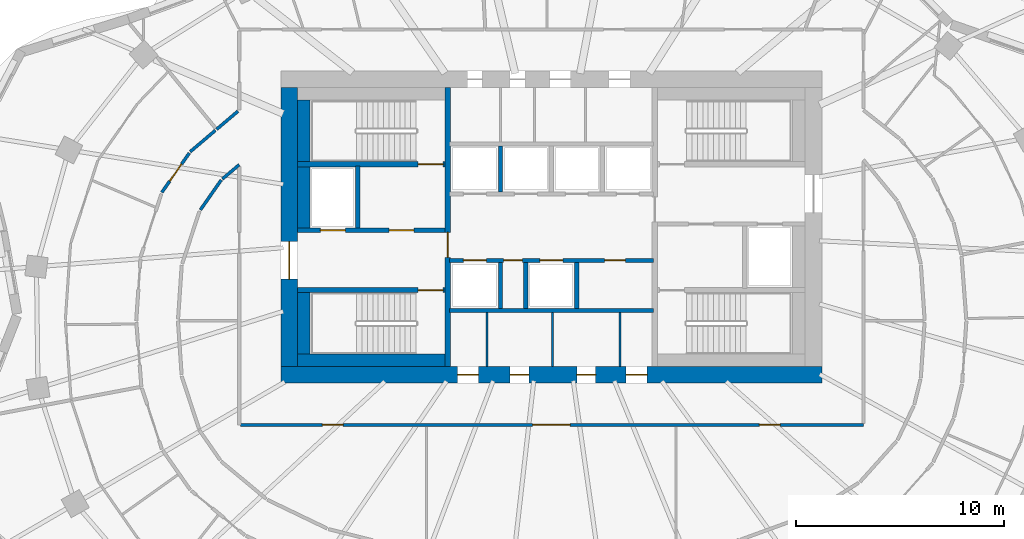
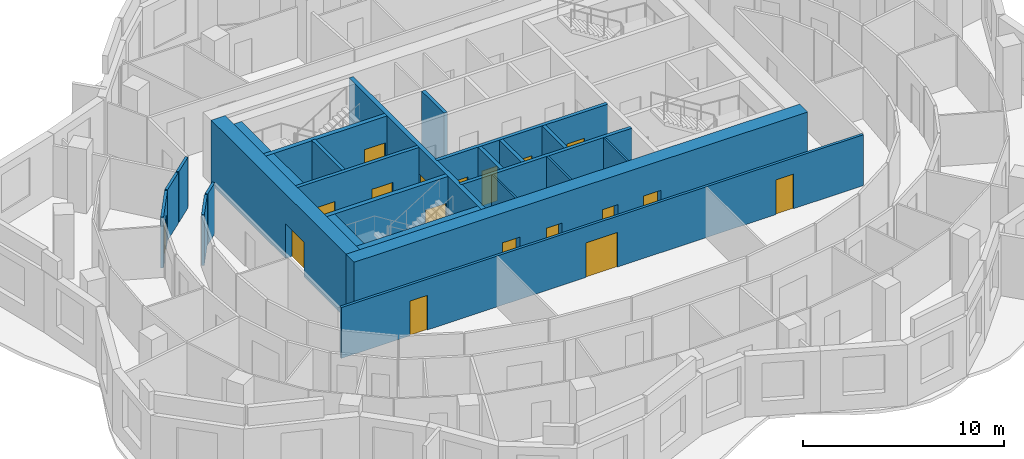
# One storey, part 5 of 11: 26 walls, 18 doors, 18 openings.
"""IFC4 building model written with IfcOpenShell, lengths in metres."""

from ifc_helpers import new_model, si_unit, direction, frame, frame_2d, origin, place, context, subcontext, project, spatial, rectangle, extrude, material, layer, layer_set, type_object, element, fill, save


model = new_model("IFC4")

# Units and contexts
model_context = context("Model", 3, precision=1e-05, world=origin(), true_north=direction((0.0, 1.0)))
body_context = subcontext(model_context, "Body", "Model", "MODEL_VIEW")
ifc_project = project(units=[si_unit("LENGTHUNIT", "METRE"), si_unit("AREAUNIT", "SQUARE_METRE"), si_unit("VOLUMEUNIT", "CUBIC_METRE"), si_unit("PLANEANGLEUNIT", "RADIAN"), si_unit("MASSUNIT", "GRAM", prefix="KILO")], contexts=[model_context])

# Site, building, storey
site_placement = place(None, origin())
site = spatial("IfcSite", under=ifc_project, at=site_placement, CompositionType="ELEMENT")
building_placement = place(site_placement, origin())
building = spatial("IfcBuilding", under=site, at=building_placement, Name="Rubra Terraces Tower", CompositionType="ELEMENT")
storey_placement = place(building_placement, frame((0.0, 0.0, 197.39990234375)))
storey = spatial("IfcBuildingStorey", under=building, at=storey_placement, Name="L48", CompositionType="ELEMENT", Elevation=197.39990234375)

# Wall, openings, doors
ifc_material_1 = material(Name="Concrete C50", Category="concrete")
ifc_layer_1 = layer(ifc_material_1, 0.800048828125)
ifc_layer_set_1 = layer_set([ifc_layer_1], Name="Concrete C50")
wall_type_1 = type_object("IfcWallType", Name="CORE WALL 800 C50", PredefinedType="SHEAR", material=ifc_layer_set_1)
wall_1_placement = place(storey_placement, frame((-13.0, -2.60009765625, 0.0), z_axis=(0.0, 0.0, 1.0), x_axis=(1.0, 0.0, 0.0)))
wall_1 = element("IfcWall", 1, at=wall_1_placement, inside=storey, type_object=wall_type_1, Name="CORE WALL S L48", PredefinedType="SHEAR", context=body_context, shape_type="SweptSolid", body=[
    extrude(rectangle(XDim=26.0, YDim=0.800048828125, at=frame_2d((13.0, 0.0))), origin(), (0.0, 0.0, 1.0), 3.900146484375),
])
opening_1_placement = place(wall_1_placement, frame((8.5, 0.0, 0.0)))
opening_1 = element("IfcOpeningElement", 2, at=opening_1_placement, cuts=wall_1, Name="Opening L48.C21", PredefinedType="OPENING", context=body_context, shape_type="SweptSolid", body=[
    extrude(rectangle(XDim=1.0, YDim=2.10009765625, at=frame_2d((0.5, 1.050048828125))), frame((0.0, 0.409912109375, 0.0), z_axis=(0.0, -1.0, 0.0), x_axis=(1.0, 0.0, 0.0)), (0.0, 0.0, 1.0), 0.820068359375),
])
opening_2_placement = place(wall_1_placement, frame((11.02490234375, 0.0, 0.0)))
opening_2 = element("IfcOpeningElement", 3, at=opening_2_placement, cuts=wall_1, Name="Opening L48.C22", PredefinedType="OPENING", context=body_context, shape_type="SweptSolid", body=[
    extrude(rectangle(XDim=0.89990234375, YDim=2.10009765625, at=frame_2d((0.449951171875, 1.050048828125))), frame((0.0, 0.409912109375, 0.0), z_axis=(0.0, -1.0, 0.0), x_axis=(1.0, 0.0, 0.0)), (0.0, 0.0, 1.0), 0.820068359375),
])
opening_3_placement = place(wall_1_placement, frame((14.22509765625, 0.0, 0.0)))
opening_3 = element("IfcOpeningElement", 4, at=opening_3_placement, cuts=wall_1, Name="Opening L48.C23", PredefinedType="OPENING", context=body_context, shape_type="SweptSolid", body=[
    extrude(rectangle(XDim=0.89990234375, YDim=2.10009765625, at=frame_2d((0.449951171875, 1.050048828125))), frame((0.0, 0.409912109375, 0.0), z_axis=(0.0, -1.0, 0.0), x_axis=(1.0, 0.0, 0.0)), (0.0, 0.0, 1.0), 0.820068359375),
])
opening_4_placement = place(wall_1_placement, frame((16.60009765625, 0.0, 0.0)))
opening_4 = element("IfcOpeningElement", 5, at=opening_4_placement, cuts=wall_1, Name="Opening L48.C24", PredefinedType="OPENING", context=body_context, shape_type="SweptSolid", body=[
    extrude(rectangle(XDim=1.0, YDim=2.10009765625, at=frame_2d((0.5, 1.050048828125))), frame((0.0, 0.409912109375, 0.0), z_axis=(0.0, -1.0, 0.0), x_axis=(1.0, 0.0, 0.0)), (0.0, 0.0, 1.0), 0.820068359375),
])
ifc_material_2 = material(Name="Painted steel", Category="steel")
door_type_1 = type_object("IfcDoorType", Name="Fire door 1000x2100 single", OperationType="NOTDEFINED", PredefinedType="DOOR", material=ifc_material_2)
door_1_placement = place(opening_1_placement, origin())
door_1 = element("IfcDoor", 6, at=door_1_placement, inside=storey, type_object=door_type_1, Name="Accessible WC door", OperationType="SINGLE_SWING_LEFT", OverallHeight=2.10009765625, OverallWidth=1.0, PredefinedType="DOOR", context=body_context, shape_type="SweptSolid", body=[
    extrude(rectangle(XDim=1.0, YDim=2.10009765625, at=frame_2d((0.5, 1.050048828125))), frame((0.0, 0.02490234375, 0.0), z_axis=(0.0, -1.0, 0.0), x_axis=(1.0, 0.0, 0.0)), (0.0, 0.0, 1.0), 0.050048828125),
])
fill(opening_1, door_1)
door_2_placement = place(opening_4_placement, origin())
door_2 = element("IfcDoor", 7, at=door_2_placement, inside=storey, type_object=door_type_1, Name="General store door", OperationType="SINGLE_SWING_RIGHT", OverallHeight=2.10009765625, OverallWidth=1.0, PredefinedType="DOOR", context=body_context, shape_type="SweptSolid", body=[
    extrude(rectangle(XDim=1.0, YDim=2.10009765625, at=frame_2d((0.5, 1.050048828125))), frame((0.0, 0.02490234375, 0.0), z_axis=(0.0, -1.0, 0.0), x_axis=(1.0, 0.0, 0.0)), (0.0, 0.0, 1.0), 0.050048828125),
])
fill(opening_4, door_2)
door_type_2 = type_object("IfcDoorType", Name="Fire door 900x2100 single", OperationType="NOTDEFINED", PredefinedType="DOOR", material=ifc_material_2)
door_3_placement = place(opening_2_placement, origin())
door_3 = element("IfcDoor", 8, at=door_3_placement, inside=storey, type_object=door_type_2, Name="Ladies WC door", OperationType="SINGLE_SWING_RIGHT", OverallHeight=2.10009765625, OverallWidth=0.89990234375, PredefinedType="DOOR", context=body_context, shape_type="SweptSolid", body=[
    extrude(rectangle(XDim=0.89990234375, YDim=2.10009765625, at=frame_2d((0.449951171875, 1.050048828125))), frame((0.0, 0.02490234375, 0.0), z_axis=(0.0, -1.0, 0.0), x_axis=(1.0, 0.0, 0.0)), (0.0, 0.0, 1.0), 0.050048828125),
])
fill(opening_2, door_3)
door_4_placement = place(opening_3_placement, origin())
door_4 = element("IfcDoor", 9, at=door_4_placement, inside=storey, type_object=door_type_2, Name="Gents WC door", OperationType="SINGLE_SWING_LEFT", OverallHeight=2.10009765625, OverallWidth=0.89990234375, PredefinedType="DOOR", context=body_context, shape_type="SweptSolid", body=[
    extrude(rectangle(XDim=0.89990234375, YDim=2.10009765625, at=frame_2d((0.449951171875, 1.050048828125))), frame((0.0, 0.02490234375, 0.0), z_axis=(0.0, -1.0, 0.0), x_axis=(1.0, 0.0, 0.0)), (0.0, 0.0, 1.0), 0.050048828125),
])
fill(opening_3, door_4)

# Wall, opening, door
wall_2_placement = place(storey_placement, frame((-12.60009765625, -2.199951171875, 0.0), z_axis=(0.0, 0.0, 1.0), x_axis=(0.0, 1.0, 0.0)))
wall_2 = element("IfcWall", 10, at=wall_2_placement, inside=storey, type_object=wall_type_1, Name="CORE WALL W L48", PredefinedType="SHEAR", context=body_context, shape_type="SweptSolid", body=[
    extrude(rectangle(XDim=13.39990234375, YDim=0.800048828125, at=frame_2d((6.699951171875, 0.0))), origin(), (0.0, 0.0, 1.0), 3.900146484375),
])
opening_5_placement = place(wall_2_placement, frame((4.199951171875, 0.0, 0.0)))
opening_5 = element("IfcOpeningElement", 11, at=opening_5_placement, cuts=wall_2, Name="Opening L48.C01", PredefinedType="OPENING", context=body_context, shape_type="SweptSolid", body=[
    extrude(rectangle(XDim=1.800048828125, YDim=2.10009765625, at=frame_2d((0.89990234375, 1.050048828125))), frame((0.0, 0.409912109375, 0.0), z_axis=(0.0, -1.0, 0.0), x_axis=(1.0, 0.0, 0.0)), (0.0, 0.0, 1.0), 0.820068359375),
])
door_type_3 = type_object("IfcDoorType", Name="Fire door 1800x2100 double", OperationType="NOTDEFINED", PredefinedType="DOOR", material=ifc_material_2)
door_5_placement = place(opening_5_placement, origin())
door_5 = element("IfcDoor", 12, at=door_5_placement, inside=storey, type_object=door_type_3, Name="Core entrance door FF1", OperationType="DOUBLE_DOOR_SINGLE_SWING", OverallHeight=2.10009765625, OverallWidth=1.800048828125, PredefinedType="DOOR", context=body_context, shape_type="SweptSolid", body=[
    extrude(rectangle(XDim=1.800048828125, YDim=2.10009765625, at=frame_2d((0.89990234375, 1.050048828125))), frame((0.0, 0.02490234375, 0.0), z_axis=(0.0, -1.0, 0.0), x_axis=(1.0, 0.0, 0.0)), (0.0, 0.0, 1.0), 0.050048828125),
])
fill(opening_5, door_5)

# Walls
ifc_material_3 = material(Name="Plasterboard on steel stud, mineral wool infill", Category="steel")
ifc_layer_2 = layer(ifc_material_3, 0.14990234375)
ifc_layer_set_2 = layer_set([ifc_layer_2], Name="Plasterboard on steel stud, mineral wool infill")
wall_type_2 = type_object("IfcWallType", Name="CORRIDOR PARTITION 150", PredefinedType="PARTITIONING", material=ifc_layer_set_2)
wall_3_placement = place(storey_placement, frame((-15.05712890625, 10.072998046875, 0.0), z_axis=(0.0, 0.0, 1.0), x_axis=(-0.762460526674, -0.647034732657, 0.0)))
element("IfcWall", 13, at=wall_3_placement, inside=storey, type_object=wall_type_2, Name="PARTITION", PredefinedType="PARTITIONING", context=body_context, shape_type="SweptSolid", body=[
    extrude(rectangle(XDim=1.3515625, YDim=0.14990234375, at=frame_2d((0.67578125, 0.0))), origin(), (0.0, 0.0, 1.0), 3.083984375),
])
wall_4_placement = place(storey_placement, frame((-16.144775390625, 9.14990234375, 0.0), z_axis=(0.0, 0.0, 1.0), x_axis=(-0.762375713691, -0.647134662318, 0.0)))
element("IfcWall", 14, at=wall_4_placement, inside=storey, type_object=wall_type_2, Name="PARTITION", PredefinedType="PARTITIONING", context=body_context, shape_type="SweptSolid", body=[
    extrude(rectangle(XDim=1.586669921875, YDim=0.14990234375, at=frame_2d((0.79345703125, 0.0))), origin(), (0.0, 0.0, 1.0), 3.083984375),
])

# Wall, opening, door
wall_5_placement = place(storey_placement, frame((-17.3974609375, 8.0615234375, 0.0), z_axis=(0.0, 0.0, 1.0), x_axis=(-0.572118665737, -0.820170855563, 0.0)))
wall_5 = element("IfcWall", 15, at=wall_5_placement, inside=storey, type_object=wall_type_2, Name="PARTITION", PredefinedType="PARTITIONING", context=body_context, shape_type="SweptSolid", body=[
    extrude(rectangle(XDim=2.30615234375, YDim=0.14990234375, at=frame_2d((1.153076171875, 0.0))), origin(), (0.0, 0.0, 1.0), 3.083984375),
])
opening_6_placement = place(wall_5_placement, frame((0.64990234375, 0.0, 0.0)))
opening_6 = element("IfcOpeningElement", 16, at=opening_6_placement, cuts=wall_5, Name="Opening 48-144", PredefinedType="OPENING", context=body_context, shape_type="SweptSolid", body=[
    extrude(rectangle(XDim=1.0, YDim=2.10009765625, at=frame_2d((0.5, 1.050048828125))), frame((0.0, 0.0849609375, 0.0), z_axis=(0.0, -1.0, 0.0), x_axis=(1.0, 0.0, 0.0)), (0.0, 0.0, 1.0), 0.169921875),
])
ifc_material_4 = material(Name="Painted timber door leaf", Category="wood")
door_type_4 = type_object("IfcDoorType", Name="ROOM DOOR 1000 X 2100", OperationType="SINGLE_SWING_LEFT", PredefinedType="DOOR", material=ifc_material_4)
door_6_placement = place(opening_6_placement, origin())
door_6 = element("IfcDoor", 17, at=door_6_placement, inside=storey, type_object=door_type_4, Name="DOOR 48-144", OperationType="SINGLE_SWING_RIGHT", OverallHeight=2.10009765625, OverallWidth=1.0, PredefinedType="DOOR", context=body_context, shape_type="SweptSolid", body=[
    extrude(rectangle(XDim=1.0, YDim=2.10009765625, at=frame_2d((0.5, 1.050048828125))), frame((0.0, 0.02490234375, 0.0), z_axis=(0.0, -1.0, 0.0), x_axis=(1.0, 0.0, 0.0)), (0.0, 0.0, 1.0), 0.050048828125),
])
fill(opening_6, door_6)

# Walls
wall_6_placement = place(storey_placement, frame((-16.865478515625, 5.32861328125, 0.0), z_axis=(0.0, 0.0, 1.0), x_axis=(0.572096615639, 0.820186236397, 0.0)))
element("IfcWall", 18, at=wall_6_placement, inside=storey, type_object=wall_type_2, Name="PARTITION", PredefinedType="PARTITIONING", context=body_context, shape_type="SweptSolid", body=[
    extrude(rectangle(XDim=1.752685546875, YDim=0.14990234375, at=frame_2d((0.87646484375, 0.0))), origin(), (0.0, 0.0, 1.0), 3.083984375),
])
wall_7_placement = place(storey_placement, frame((-15.805419921875, 6.814453125, 0.0), z_axis=(0.0, 0.0, 1.0), x_axis=(0.762298381233, 0.647225755027, 0.0)))
element("IfcWall", 19, at=wall_7_placement, inside=storey, type_object=wall_type_2, Name="PARTITION", PredefinedType="PARTITIONING", context=body_context, shape_type="SweptSolid", body=[
    extrude(rectangle(XDim=1.056640625, YDim=0.14990234375, at=frame_2d((0.5283203125, 0.0))), origin(), (0.0, 0.0, 1.0), 3.083984375),
])

# Wall, openings, doors
wall_8_placement = place(storey_placement, frame((-14.925048828125, -5.0, 0.0), z_axis=(0.0, 0.0, 1.0), x_axis=(1.0, 0.0, 0.0)))
wall_8 = element("IfcWall", 20, at=wall_8_placement, inside=storey, type_object=wall_type_2, Name="PARTITION", PredefinedType="PARTITIONING", context=body_context, shape_type="SweptSolid", body=[
    extrude(rectangle(XDim=29.925048828125, YDim=0.14990234375, at=frame_2d((14.96240234375, 0.0))), origin(), (0.0, 0.0, 1.0), 3.083984375),
])
opening_7_placement = place(wall_8_placement, frame((3.925048828125, 0.0, 0.0)))
opening_7 = element("IfcOpeningElement", 21, at=opening_7_placement, cuts=wall_8, Name="Opening 48-134", PredefinedType="OPENING", context=body_context, shape_type="SweptSolid", body=[
    extrude(rectangle(XDim=1.0, YDim=2.10009765625, at=frame_2d((0.5, 1.050048828125))), frame((0.0, 0.0849609375, 0.0), z_axis=(0.0, -1.0, 0.0), x_axis=(1.0, 0.0, 0.0)), (0.0, 0.0, 1.0), 0.169921875),
])
opening_8_placement = place(wall_8_placement, frame((14.02490234375, 0.0, 0.0)))
opening_8 = element("IfcOpeningElement", 22, at=opening_8_placement, cuts=wall_8, Name="Opening 48-135", PredefinedType="OPENING", context=body_context, shape_type="SweptSolid", body=[
    extrude(rectangle(XDim=1.800048828125, YDim=2.10009765625, at=frame_2d((0.89990234375, 1.050048828125))), frame((0.0, 0.0849609375, 0.0), z_axis=(0.0, -1.0, 0.0), x_axis=(1.0, 0.0, 0.0)), (0.0, 0.0, 1.0), 0.169921875),
])
opening_9_placement = place(wall_8_placement, frame((24.925048828125, 0.0, 0.0)))
opening_9 = element("IfcOpeningElement", 23, at=opening_9_placement, cuts=wall_8, Name="Opening 48-136", PredefinedType="OPENING", context=body_context, shape_type="SweptSolid", body=[
    extrude(rectangle(XDim=1.0, YDim=2.10009765625, at=frame_2d((0.5, 1.050048828125))), frame((0.0, 0.0849609375, 0.0), z_axis=(0.0, -1.0, 0.0), x_axis=(1.0, 0.0, 0.0)), (0.0, 0.0, 1.0), 0.169921875),
])
door_7_placement = place(opening_7_placement, origin())
door_7 = element("IfcDoor", 24, at=door_7_placement, inside=storey, type_object=door_type_4, Name="DOOR 48-134", OperationType="SINGLE_SWING_RIGHT", OverallHeight=2.10009765625, OverallWidth=1.0, PredefinedType="DOOR", context=body_context, shape_type="SweptSolid", body=[
    extrude(rectangle(XDim=1.0, YDim=2.10009765625, at=frame_2d((0.5, 1.050048828125))), frame((0.0, 0.02490234375, 0.0), z_axis=(0.0, -1.0, 0.0), x_axis=(1.0, 0.0, 0.0)), (0.0, 0.0, 1.0), 0.050048828125),
])
fill(opening_7, door_7)
door_8_placement = place(opening_9_placement, origin())
door_8 = element("IfcDoor", 25, at=door_8_placement, inside=storey, type_object=door_type_4, Name="DOOR 48-136", OperationType="SINGLE_SWING_RIGHT", OverallHeight=2.10009765625, OverallWidth=1.0, PredefinedType="DOOR", context=body_context, shape_type="SweptSolid", body=[
    extrude(rectangle(XDim=1.0, YDim=2.10009765625, at=frame_2d((0.5, 1.050048828125))), frame((0.0, 0.02490234375, 0.0), z_axis=(0.0, -1.0, 0.0), x_axis=(1.0, 0.0, 0.0)), (0.0, 0.0, 1.0), 0.050048828125),
])
fill(opening_9, door_8)
ifc_material_5 = material(Name="Painted timber door leaf, double", Category="wood")
door_type_5 = type_object("IfcDoorType", Name="ROOM DOUBLE DOOR 1800 X 2100", OperationType="DOUBLE_DOOR_SINGLE_SWING", PredefinedType="DOOR", material=ifc_material_5)
door_9_placement = place(opening_8_placement, origin())
door_9 = element("IfcDoor", 26, at=door_9_placement, inside=storey, type_object=door_type_5, Name="DOOR 48-135", OperationType="DOUBLE_DOOR_SINGLE_SWING", OverallHeight=2.10009765625, OverallWidth=1.800048828125, PredefinedType="DOOR", context=body_context, shape_type="SweptSolid", body=[
    extrude(rectangle(XDim=1.800048828125, YDim=2.10009765625, at=frame_2d((0.89990234375, 1.050048828125))), frame((0.0, 0.02490234375, 0.0), z_axis=(0.0, -1.0, 0.0), x_axis=(1.0, 0.0, 0.0)), (0.0, 0.0, 1.0), 0.050048828125),
])
fill(opening_8, door_9)

# Walls
ifc_material_6 = material(Name="Concrete C40", Category="concrete")
ifc_layer_3 = layer(ifc_material_6, 0.60009765625)
ifc_layer_set_3 = layer_set([ifc_layer_3], Name="Concrete C40")
wall_type_3 = type_object("IfcWallType", Name="Core lining wall 600 concrete", PredefinedType="SOLIDWALL", material=ifc_layer_set_3)
wall_9_placement = place(storey_placement, frame((-12.199951171875, -1.89990234375, 0.0), z_axis=(0.0, 0.0, 1.0), x_axis=(1.0, 0.0, 0.0)))
element("IfcWall", 27, at=wall_9_placement, inside=storey, type_object=wall_type_3, Name="CORE LINING WALL L48", PredefinedType="SOLIDWALL", context=body_context, shape_type="SweptSolid", body=[
    extrude(rectangle(XDim=7.099853515625, YDim=0.60009765625, at=frame_2d((3.5498046875, 0.0))), origin(), (0.0, 0.0, 1.0), 3.7001953125),
])
wall_10_placement = place(storey_placement, frame((-11.89990234375, -1.60009765625, 0.0), z_axis=(0.0, 0.0, 1.0), x_axis=(0.0, 1.0, 0.0)))
element("IfcWall", 28, at=wall_10_placement, inside=storey, type_object=wall_type_3, Name="CORE LINING WALL L48", PredefinedType="SOLIDWALL", context=body_context, shape_type="SweptSolid", body=[
    extrude(rectangle(XDim=2.9501953125, YDim=0.60009765625, at=frame_2d((1.47509765625, 0.0))), origin(), (0.0, 0.0, 1.0), 3.7001953125),
])
wall_11_placement = place(storey_placement, frame((-11.89990234375, 4.449951171875, 0.0), z_axis=(0.0, 0.0, 1.0), x_axis=(0.0, 1.0, 0.0)))
element("IfcWall", 29, at=wall_11_placement, inside=storey, type_object=wall_type_3, Name="CORE LINING WALL L48", PredefinedType="SOLIDWALL", context=body_context, shape_type="SweptSolid", body=[
    extrude(rectangle(XDim=3.0, YDim=0.60009765625, at=frame_2d((1.5, 0.0))), origin(), (0.0, 0.0, 1.0), 3.7001953125),
])
wall_12_placement = place(storey_placement, frame((-11.89990234375, 7.64990234375, 0.0), z_axis=(0.0, 0.0, 1.0), x_axis=(0.0, 1.0, 0.0)))
element("IfcWall", 30, at=wall_12_placement, inside=storey, type_object=wall_type_3, Name="CORE LINING WALL L48", PredefinedType="SOLIDWALL", context=body_context, shape_type="SweptSolid", body=[
    extrude(rectangle(XDim=2.9501953125, YDim=0.60009765625, at=frame_2d((1.47509765625, 0.0))), origin(), (0.0, 0.0, 1.0), 3.7001953125),
])

# Wall, openings, doors
ifc_material_7 = material(Name="Concrete C30", Category="concrete")
ifc_layer_4 = layer(ifc_material_7, 0.199951171875)
ifc_layer_set_4 = layer_set([ifc_layer_4], Name="Concrete C30")
wall_type_4 = type_object("IfcWallType", Name="Core wall 200 concrete", PredefinedType="SOLIDWALL", material=ifc_layer_set_4)
wall_13_placement = place(storey_placement, frame((-12.199951171875, 4.35009765625, 0.0), z_axis=(0.0, 0.0, 1.0), x_axis=(1.0, 0.0, 0.0)))
wall_13 = element("IfcWall", 31, at=wall_13_placement, inside=storey, type_object=wall_type_4, Name="STAIR WALL L48", PredefinedType="SOLIDWALL", context=body_context, shape_type="SweptSolid", body=[
    extrude(rectangle(XDim=7.099853515625, YDim=0.199951171875, at=frame_2d((3.5498046875, 0.0))), origin(), (0.0, 0.0, 1.0), 3.7001953125),
])
opening_10_placement = place(wall_13_placement, frame((4.39990234375, 0.0, 0.0)))
opening_10 = element("IfcOpeningElement", 32, at=opening_10_placement, cuts=wall_13, Name="Opening L48.C05", PredefinedType="OPENING", context=body_context, shape_type="SweptSolid", body=[
    extrude(rectangle(XDim=1.199951171875, YDim=2.10009765625, at=frame_2d((0.60009765625, 1.050048828125))), frame((0.0, 0.10986328125, 0.0), z_axis=(0.0, -1.0, 0.0), x_axis=(1.0, 0.0, 0.0)), (0.0, 0.0, 1.0), 0.219970703125),
])
opening_11_placement = place(wall_13_placement, frame((1.10009765625, 0.0, 0.0)))
opening_11 = element("IfcOpeningElement", 33, at=opening_11_placement, cuts=wall_13, Name="Opening L48.C11", PredefinedType="OPENING", context=body_context, shape_type="SweptSolid", body=[
    extrude(rectangle(XDim=1.199951171875, YDim=2.10009765625, at=frame_2d((0.60009765625, 1.050048828125))), frame((0.0, 0.10986328125, 0.0), z_axis=(0.0, -1.0, 0.0), x_axis=(1.0, 0.0, 0.0)), (0.0, 0.0, 1.0), 0.219970703125),
])
door_type_6 = type_object("IfcDoorType", Name="Fire door 1200x2100 single", OperationType="NOTDEFINED", PredefinedType="DOOR", material=ifc_material_2)
door_10_placement = place(opening_10_placement, origin())
door_10 = element("IfcDoor", 34, at=door_10_placement, inside=storey, type_object=door_type_6, Name="Stair vestibule door S2", OperationType="SINGLE_SWING_LEFT", OverallHeight=2.10009765625, OverallWidth=1.199951171875, PredefinedType="DOOR", context=body_context, shape_type="SweptSolid", body=[
    extrude(rectangle(XDim=1.199951171875, YDim=2.10009765625, at=frame_2d((0.60009765625, 1.050048828125))), frame((0.0, 0.02490234375, 0.0), z_axis=(0.0, -1.0, 0.0), x_axis=(1.0, 0.0, 0.0)), (0.0, 0.0, 1.0), 0.050048828125),
])
fill(opening_10, door_10)
ifc_material_8 = material(Name="Stainless steel", Category="steel")
door_type_7 = type_object("IfcDoorType", Name="Lift landing door 1200x2100", OperationType="NOTDEFINED", PredefinedType="DOOR", material=ifc_material_8)
door_11_placement = place(opening_11_placement, origin())
door_11 = element("IfcDoor", 35, at=door_11_placement, inside=storey, type_object=door_type_7, Name="Landing door FF1", OperationType="SLIDING_TO_RIGHT", OverallHeight=2.10009765625, OverallWidth=1.199951171875, PredefinedType="DOOR", context=body_context, shape_type="SweptSolid", body=[
    extrude(rectangle(XDim=1.199951171875, YDim=2.10009765625, at=frame_2d((0.60009765625, 1.050048828125))), frame((0.0, 0.02490234375, 0.0), z_axis=(0.0, -1.0, 0.0), x_axis=(1.0, 0.0, 0.0)), (0.0, 0.0, 1.0), 0.050048828125),
])
fill(opening_11, door_11)

# Walls
wall_14_placement = place(storey_placement, frame((-9.300048828125, 4.449951171875, 0.0), z_axis=(0.0, 0.0, 1.0), x_axis=(0.0, 1.0, 0.0)))
element("IfcWall", 36, at=wall_14_placement, inside=storey, type_object=wall_type_4, Name="STAIR WALL L48", PredefinedType="SOLIDWALL", context=body_context, shape_type="SweptSolid", body=[
    extrude(rectangle(XDim=3.0, YDim=0.199951171875, at=frame_2d((1.5, 0.0))), origin(), (0.0, 0.0, 1.0), 3.7001953125),
])
wall_15_placement = place(storey_placement, frame((-4.89990234375, 0.5, 0.0), z_axis=(0.0, 0.0, 1.0), x_axis=(1.0, 0.0, 0.0)))
element("IfcWall", 37, at=wall_15_placement, inside=storey, type_object=wall_type_4, Name="LIFT SHAFT WALL L48", PredefinedType="SOLIDWALL", context=body_context, shape_type="SweptSolid", body=[
    extrude(rectangle(XDim=9.7998046875, YDim=0.199951171875, at=frame_2d((4.89990234375, 0.0))), origin(), (0.0, 0.0, 1.0), 3.7001953125),
])

# Wall, openings, doors
wall_16_placement = place(storey_placement, frame((-4.89990234375, 2.89990234375, 0.0), z_axis=(0.0, 0.0, 1.0), x_axis=(1.0, 0.0, 0.0)))
wall_16 = element("IfcWall", 38, at=wall_16_placement, inside=storey, type_object=wall_type_4, Name="LIFT SHAFT WALL L48", PredefinedType="SOLIDWALL", context=body_context, shape_type="SweptSolid", body=[
    extrude(rectangle(XDim=9.7998046875, YDim=0.199951171875, at=frame_2d((4.89990234375, 0.0))), origin(), (0.0, 0.0, 1.0), 3.7001953125),
])
opening_12_placement = place(wall_16_placement, frame((0.675048828125, 0.0, 0.0)))
opening_12 = element("IfcOpeningElement", 39, at=opening_12_placement, cuts=wall_16, Name="Opening L48.C13", PredefinedType="OPENING", context=body_context, shape_type="SweptSolid", body=[
    extrude(rectangle(XDim=1.10009765625, YDim=2.10009765625, at=frame_2d((0.550048828125, 1.050048828125))), frame((0.0, 0.10986328125, 0.0), z_axis=(0.0, -1.0, 0.0), x_axis=(1.0, 0.0, 0.0)), (0.0, 0.0, 1.0), 0.219970703125),
])
opening_13_placement = place(wall_16_placement, frame((2.613037109375, 0.0, 0.0)))
opening_13 = element("IfcOpeningElement", 40, at=opening_13_placement, cuts=wall_16, Name="Opening L48.C14", PredefinedType="OPENING", context=body_context, shape_type="SweptSolid", body=[
    extrude(rectangle(XDim=0.89990234375, YDim=2.10009765625, at=frame_2d((0.449951171875, 1.050048828125))), frame((0.0, 0.10986328125, 0.0), z_axis=(0.0, -1.0, 0.0), x_axis=(1.0, 0.0, 0.0)), (0.0, 0.0, 1.0), 0.219970703125),
])
opening_14_placement = place(wall_16_placement, frame((4.35009765625, 0.0, 0.0)))
opening_14 = element("IfcOpeningElement", 41, at=opening_14_placement, cuts=wall_16, Name="Opening L48.C15", PredefinedType="OPENING", context=body_context, shape_type="SweptSolid", body=[
    extrude(rectangle(XDim=1.10009765625, YDim=2.10009765625, at=frame_2d((0.550048828125, 1.050048828125))), frame((0.0, 0.10986328125, 0.0), z_axis=(0.0, -1.0, 0.0), x_axis=(1.0, 0.0, 0.0)), (0.0, 0.0, 1.0), 0.219970703125),
])
opening_15_placement = place(wall_16_placement, frame((7.462890625, 0.0, 0.0)))
opening_15 = element("IfcOpeningElement", 42, at=opening_15_placement, cuts=wall_16, Name="Opening L48.C16", PredefinedType="OPENING", context=body_context, shape_type="SweptSolid", body=[
    extrude(rectangle(XDim=1.0, YDim=2.10009765625, at=frame_2d((0.5, 1.050048828125))), frame((0.0, 0.10986328125, 0.0), z_axis=(0.0, -1.0, 0.0), x_axis=(1.0, 0.0, 0.0)), (0.0, 0.0, 1.0), 0.219970703125),
])
door_12_placement = place(opening_15_placement, origin())
door_12 = element("IfcDoor", 43, at=door_12_placement, inside=storey, type_object=door_type_1, Name="General store door", OperationType="SINGLE_SWING_RIGHT", OverallHeight=2.10009765625, OverallWidth=1.0, PredefinedType="DOOR", context=body_context, shape_type="SweptSolid", body=[
    extrude(rectangle(XDim=1.0, YDim=2.10009765625, at=frame_2d((0.5, 1.050048828125))), frame((0.0, 0.02490234375, 0.0), z_axis=(0.0, -1.0, 0.0), x_axis=(1.0, 0.0, 0.0)), (0.0, 0.0, 1.0), 0.050048828125),
])
fill(opening_15, door_12)
door_13_placement = place(opening_13_placement, origin())
door_13 = element("IfcDoor", 44, at=door_13_placement, inside=storey, type_object=door_type_2, Name="Cleaner's store door", OperationType="SINGLE_SWING_RIGHT", OverallHeight=2.10009765625, OverallWidth=0.89990234375, PredefinedType="DOOR", context=body_context, shape_type="SweptSolid", body=[
    extrude(rectangle(XDim=0.89990234375, YDim=2.10009765625, at=frame_2d((0.449951171875, 1.050048828125))), frame((0.0, 0.02490234375, 0.0), z_axis=(0.0, -1.0, 0.0), x_axis=(1.0, 0.0, 0.0)), (0.0, 0.0, 1.0), 0.050048828125),
])
fill(opening_13, door_13)
door_type_8 = type_object("IfcDoorType", Name="Lift landing door 1100x2100", OperationType="NOTDEFINED", PredefinedType="DOOR", material=ifc_material_8)
door_14_placement = place(opening_12_placement, origin())
door_14 = element("IfcDoor", 45, at=door_14_placement, inside=storey, type_object=door_type_8, Name="Landing door HB1", OperationType="SLIDING_TO_RIGHT", OverallHeight=2.10009765625, OverallWidth=1.10009765625, PredefinedType="DOOR", context=body_context, shape_type="SweptSolid", body=[
    extrude(rectangle(XDim=1.10009765625, YDim=2.10009765625, at=frame_2d((0.550048828125, 1.050048828125))), frame((0.0, 0.02490234375, 0.0), z_axis=(0.0, -1.0, 0.0), x_axis=(1.0, 0.0, 0.0)), (0.0, 0.0, 1.0), 0.050048828125),
])
fill(opening_12, door_14)
door_15_placement = place(opening_14_placement, origin())
door_15 = element("IfcDoor", 46, at=door_15_placement, inside=storey, type_object=door_type_8, Name="Landing door HB2", OperationType="SLIDING_TO_LEFT", OverallHeight=2.10009765625, OverallWidth=1.10009765625, PredefinedType="DOOR", context=body_context, shape_type="SweptSolid", body=[
    extrude(rectangle(XDim=1.10009765625, YDim=2.10009765625, at=frame_2d((0.550048828125, 1.050048828125))), frame((0.0, 0.02490234375, 0.0), z_axis=(0.0, -1.0, 0.0), x_axis=(1.0, 0.0, 0.0)), (0.0, 0.0, 1.0), 0.050048828125),
])
fill(opening_14, door_15)

# Walls
for number, where, z_axis, x_axis, name in (
    (47, (-2.449951171875, 0.60009765625, 0.0), (0.0, 0.0, 1.0), (0.0, 1.0, 0.0), "LIFT SHAFT WALL L48"),
    (48, (-1.22509765625, 0.60009765625, 0.0), (0.0, 0.0, 1.0), (0.0, 1.0, 0.0), "LIFT SHAFT WALL L48"),
    (49, (1.22509765625, 0.60009765625, 0.0), (0.0, 0.0, 1.0), (0.0, 1.0, 0.0), "LIFT SHAFT WALL L48"),
    (50, (-2.449951171875, 6.199951171875, 0.0), (0.0, 0.0, 1.0), (0.0, 1.0, 0.0), "LIFT SHAFT WALL L48"),
):
    element("IfcWall", number, at=place(storey_placement, frame(where, z_axis=z_axis, x_axis=x_axis)), inside=storey, type_object=wall_type_4, Name=name, PredefinedType="SOLIDWALL", context=body_context, shape_type="SweptSolid", body=[
        extrude(rectangle(XDim=2.199951171875, YDim=0.199951171875, at=frame_2d((1.10009765625, 0.0))), origin(), (0.0, 0.0, 1.0), 3.7001953125),
    ])
ifc_material_9 = material(Name="Blockwork", Category="masonry")
ifc_layer_5 = layer(ifc_material_9, 0.10009765625)
ifc_layer_set_5 = layer_set([ifc_layer_5], Name="Blockwork")
wall_type_5 = type_object("IfcWallType", Name="Service partition 100 blockwork", PredefinedType="PARTITIONING", material=ifc_layer_set_5)
for number, where, z_axis, x_axis, name in (
    (51, (-3.10009765625, -2.199951171875, 0.0), (0.0, 0.0, 1.0), (0.0, 1.0, 0.0), "SERVICE ROOM PARTITION L48"),
    (52, (0.050048828125, -2.199951171875, 0.0), (0.0, 0.0, 1.0), (0.0, 1.0, 0.0), "SERVICE ROOM PARTITION L48"),
    (53, (3.300048828125, -2.199951171875, 0.0), (0.0, 0.0, 1.0), (0.0, 1.0, 0.0), "SERVICE ROOM PARTITION L48"),
):
    element("IfcWall", number, at=place(storey_placement, frame(where, z_axis=z_axis, x_axis=x_axis)), inside=storey, type_object=wall_type_5, Name=name, PredefinedType="PARTITIONING", context=body_context, shape_type="SweptSolid", body=[
        extrude(rectangle(XDim=2.599853515625, YDim=0.10009765625, at=frame_2d((1.2998046875, 0.0))), origin(), (0.0, 0.0, 1.0), 3.7001953125),
    ])

# Wall, opening, door
ifc_layer_6 = layer(ifc_material_6, 0.25)
ifc_layer_set_6 = layer_set([ifc_layer_6], Name="Concrete C40")
wall_type_6 = type_object("IfcWallType", Name="Stair enclosure wall 250 concrete", PredefinedType="SOLIDWALL", material=ifc_layer_set_6)
wall_17_placement = place(storey_placement, frame((-12.199951171875, 1.47509765625, 0.0), z_axis=(0.0, 0.0, 1.0), x_axis=(1.0, 0.0, 0.0)))
wall_17 = element("IfcWall", 54, at=wall_17_placement, inside=storey, type_object=wall_type_6, Name="STAIR WALL L48", PredefinedType="SOLIDWALL", context=body_context, shape_type="SweptSolid", body=[
    extrude(rectangle(XDim=7.099853515625, YDim=0.25, at=frame_2d((3.5498046875, 0.0))), origin(), (0.0, 0.0, 1.0), 3.7001953125),
])
opening_16_placement = place(wall_17_placement, frame((5.800048828125, 0.0, 0.0)))
opening_16 = element("IfcOpeningElement", 55, at=opening_16_placement, cuts=wall_17, Name="Opening L48.C07", PredefinedType="OPENING", context=body_context, shape_type="SweptSolid", body=[
    extrude(rectangle(XDim=1.199951171875, YDim=2.10009765625, at=frame_2d((0.60009765625, 1.050048828125))), frame((0.0, 0.135009765625, 0.0), z_axis=(0.0, -1.0, 0.0), x_axis=(1.0, 0.0, 0.0)), (0.0, 0.0, 1.0), 0.27001953125),
])
door_16_placement = place(opening_16_placement, origin())
door_16 = element("IfcDoor", 56, at=door_16_placement, inside=storey, type_object=door_type_6, Name="Stair door S1", OperationType="SINGLE_SWING_LEFT", OverallHeight=2.10009765625, OverallWidth=1.199951171875, PredefinedType="DOOR", context=body_context, shape_type="SweptSolid", body=[
    extrude(rectangle(XDim=1.199951171875, YDim=2.10009765625, at=frame_2d((0.60009765625, 1.050048828125))), frame((0.0, 0.02490234375, 0.0), z_axis=(0.0, -1.0, 0.0), x_axis=(1.0, 0.0, 0.0)), (0.0, 0.0, 1.0), 0.050048828125),
])
fill(opening_16, door_16)

wall_18_placement = place(storey_placement, frame((-12.199951171875, 7.52490234375, 0.0), z_axis=(0.0, 0.0, 1.0), x_axis=(1.0, 0.0, 0.0)))
wall_18 = element("IfcWall", 57, at=wall_18_placement, inside=storey, type_object=wall_type_6, Name="STAIR WALL L48", PredefinedType="SOLIDWALL", context=body_context, shape_type="SweptSolid", body=[
    extrude(rectangle(XDim=7.099853515625, YDim=0.25, at=frame_2d((3.5498046875, 0.0))), origin(), (0.0, 0.0, 1.0), 3.7001953125),
])
opening_17_placement = place(wall_18_placement, frame((5.800048828125, 0.0, 0.0)))
opening_17 = element("IfcOpeningElement", 58, at=opening_17_placement, cuts=wall_18, Name="Opening L48.C09", PredefinedType="OPENING", context=body_context, shape_type="SweptSolid", body=[
    extrude(rectangle(XDim=1.199951171875, YDim=2.10009765625, at=frame_2d((0.60009765625, 1.050048828125))), frame((0.0, 0.135009765625, 0.0), z_axis=(0.0, -1.0, 0.0), x_axis=(1.0, 0.0, 0.0)), (0.0, 0.0, 1.0), 0.27001953125),
])
door_17_placement = place(opening_17_placement, origin())
door_17 = element("IfcDoor", 59, at=door_17_placement, inside=storey, type_object=door_type_6, Name="Stair door S2", OperationType="SINGLE_SWING_LEFT", OverallHeight=2.10009765625, OverallWidth=1.199951171875, PredefinedType="DOOR", context=body_context, shape_type="SweptSolid", body=[
    extrude(rectangle(XDim=1.199951171875, YDim=2.10009765625, at=frame_2d((0.60009765625, 1.050048828125))), frame((0.0, 0.02490234375, 0.0), z_axis=(0.0, -1.0, 0.0), x_axis=(1.0, 0.0, 0.0)), (0.0, 0.0, 1.0), 0.050048828125),
])
fill(opening_17, door_17)

wall_19_placement = place(storey_placement, frame((-4.97509765625, -2.199951171875, 0.0), z_axis=(0.0, 0.0, 1.0), x_axis=(0.0, 1.0, 0.0)))
wall_19 = element("IfcWall", 60, at=wall_19_placement, inside=storey, type_object=wall_type_6, Name="CORE LOBBY WALL L48", PredefinedType="SOLIDWALL", context=body_context, shape_type="SweptSolid", body=[
    extrude(rectangle(XDim=13.39990234375, YDim=0.25, at=frame_2d((6.699951171875, 0.0))), origin(), (0.0, 0.0, 1.0), 3.7001953125),
])
opening_18_placement = place(wall_19_placement, frame((5.25, 0.0, 0.0)))
opening_18 = element("IfcOpeningElement", 61, at=opening_18_placement, cuts=wall_19, Name="Opening L48.C03", PredefinedType="OPENING", context=body_context, shape_type="SweptSolid", body=[
    extrude(rectangle(XDim=1.199951171875, YDim=2.10009765625, at=frame_2d((0.60009765625, 1.050048828125))), frame((0.0, 0.135009765625, 0.0), z_axis=(0.0, -1.0, 0.0), x_axis=(1.0, 0.0, 0.0)), (0.0, 0.0, 1.0), 0.27001953125),
])
door_18_placement = place(opening_18_placement, origin())
door_18 = element("IfcDoor", 62, at=door_18_placement, inside=storey, type_object=door_type_6, Name="Firefighting lobby door FF1", OperationType="SINGLE_SWING_LEFT", OverallHeight=2.10009765625, OverallWidth=1.199951171875, PredefinedType="DOOR", context=body_context, shape_type="SweptSolid", body=[
    extrude(rectangle(XDim=1.199951171875, YDim=2.10009765625, at=frame_2d((0.60009765625, 1.050048828125))), frame((0.0, 0.02490234375, 0.0), z_axis=(0.0, -1.0, 0.0), x_axis=(1.0, 0.0, 0.0)), (0.0, 0.0, 1.0), 0.050048828125),
])
fill(opening_18, door_18)

save(model, "model.ifc")
